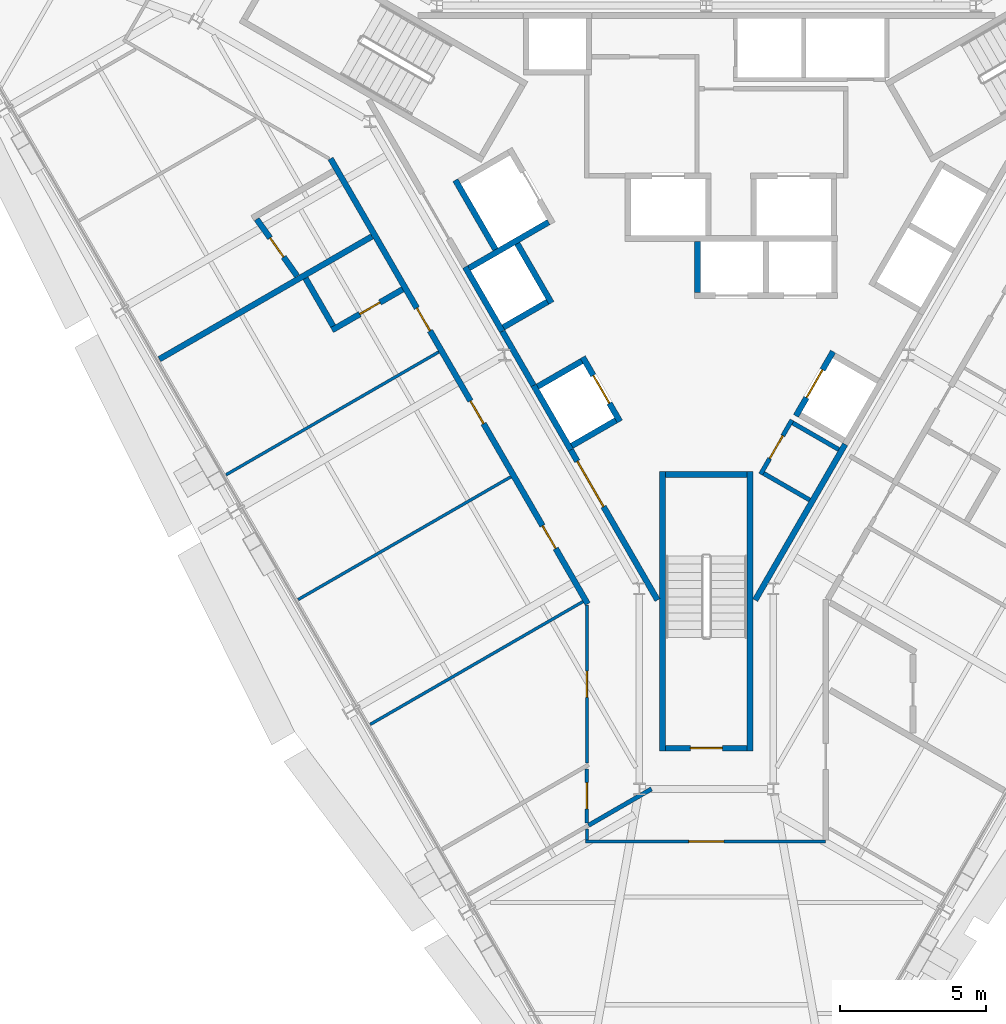
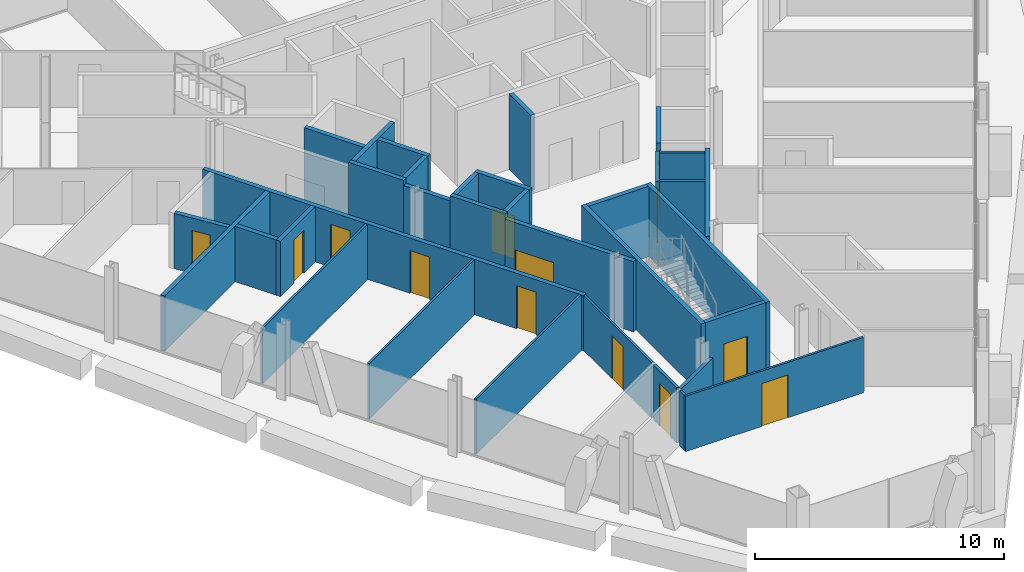
# One storey, part 9 of 14: 34 walls, 13 doors, 13 openings.
"""IFC4 building model written with IfcOpenShell, lengths in metres."""

import ifcopenshell
import ifcopenshell.guid

model = None  # the IFC model being written
_history = None  # IfcOwnerHistory: only IFC2X3 demands one
_inside = {}  # id of a spatial element -> (the spatial element, [elements in it])
_under = {}  # id of a project, library or spatial element -> (it, [spatial elements below it])
_declared = {}  # id of a project -> (the project, [libraries it declares])
_typed = {}  # id of a type object -> (the type object, [elements of that type])
_made_of = {}  # id of a material, layer set ... -> (it, [elements and type objects made of it])


def new_model(schema):
    """Start an empty IFC model of exactly this schema.

    Asked for "IFC4X3", IfcOpenShell would pick the latest addendum, in which some entities
    have other attributes; the version numbers below select the first issue.
    IFC2X3 requires an IfcOwnerHistory on every rooted entity: one is made here for all.
    """
    global model, _history
    if schema == "IFC4X3":
        model = ifcopenshell.file(schema_version=(4, 3, 0, 0))
    else:
        model = ifcopenshell.file(schema=schema)
    _inside.clear()
    _under.clear()
    _declared.clear()
    _typed.clear()
    _made_of.clear()
    _history = None
    if model.schema == "IFC2X3":
        org = make("IfcOrganization", Name="unknown")
        user = make(
            "IfcPersonAndOrganization",
            ThePerson=make("IfcPerson", FamilyName="unknown"),
            TheOrganization=org,
        )
        app = make(
            "IfcApplication",
            ApplicationDeveloper=org,
            Version="unknown",
            ApplicationFullName="unknown",
            ApplicationIdentifier="unknown",
        )
        _history = make(
            "IfcOwnerHistory",
            OwningUser=user,
            OwningApplication=app,
            ChangeAction="ADDED",
            CreationDate=0,
        )
    return model


def make(cls, **values):
    """One entity of the class cls with the attributes given. An attribute that is None is left unset."""
    return model.create_entity(
        cls, **{name: value for name, value in values.items() if value is not None}
    )


def rooted(cls, **values):
    """An entity with a GlobalId (a new one), such as an element, a storey or a relation."""
    return make(cls, GlobalId=ifcopenshell.guid.new(), OwnerHistory=_history, **values)


def si_unit(unit_type, name, prefix=None):
    """IfcSIUnit, for example si_unit("LENGTHUNIT", "METRE", prefix="MILLI")."""
    return make("IfcSIUnit", UnitType=unit_type, Prefix=prefix, Name=name)


def assignment(units):
    """IfcUnitAssignment: the units of a project."""
    return None if units is None else make("IfcUnitAssignment", Units=units)


def point(xyz):
    """IfcCartesianPoint."""
    return None if xyz is None else make("IfcCartesianPoint", Coordinates=xyz)


def direction(xyz):
    """IfcDirection."""
    return None if xyz is None else make("IfcDirection", DirectionRatios=xyz)


def frame(location, z_axis=None, x_axis=None):
    """IfcAxis2Placement3D, a coordinate frame: its origin and axes. An axis left out is left unset."""
    return make(
        "IfcAxis2Placement3D",
        Location=point(location),
        Axis=direction(z_axis),
        RefDirection=direction(x_axis),
    )


def frame_2d(location, x_axis=None):
    """IfcAxis2Placement2D, a coordinate frame in the plane: its origin and x axis."""
    return make(
        "IfcAxis2Placement2D", Location=point(location), RefDirection=direction(x_axis)
    )


def origin():
    """The frame at (0, 0, 0) with its axes left unset."""
    return frame((0.0, 0.0, 0.0))


def place(relative_to, where):
    """IfcLocalPlacement: puts the frame where relative to a parent placement (None: the world)."""
    return make(
        "IfcLocalPlacement", PlacementRelTo=relative_to, RelativePlacement=where
    )


def context(
    kind, dimensions, precision=None, world=None, true_north=None, identifier=None
):
    """IfcGeometricRepresentationContext, for example the 3D "Model" context."""
    return make(
        "IfcGeometricRepresentationContext",
        ContextIdentifier=identifier,
        ContextType=kind,
        CoordinateSpaceDimension=dimensions,
        Precision=precision,
        WorldCoordinateSystem=world,
        TrueNorth=true_north,
    )


def subcontext(parent, identifier, kind, view, scale=None):
    """IfcGeometricRepresentationSubContext, for example "Body" below "Model"."""
    return make(
        "IfcGeometricRepresentationSubContext",
        ContextIdentifier=identifier,
        ContextType=kind,
        ParentContext=parent,
        TargetScale=scale,
        TargetView=view,
    )


def project(units=None, contexts=None):
    """IfcProject with its units and contexts."""
    return rooted(
        "IfcProject",
        Name="project",
        RepresentationContexts=contexts,
        UnitsInContext=assignment(units),
    )


def spatial(cls, under=None, at=None, **own):
    """A site, building, storey or space (cls), placed at a placement, below another one or the project."""
    s = rooted(cls, ObjectPlacement=at, **own)
    if under is not None:
        _under.setdefault(under.id(), (under, []))[1].append(s)
    return s


def profile(cls, at=None, kind="AREA", **sizes):
    """A parametric profile (cls). Its sizes go by their IFC names, for example OverallWidth=200.0."""
    return make(cls, ProfileType=kind, Position=at, **sizes)


def rectangle(**sizes):
    """IfcRectangleProfileDef."""
    return profile("IfcRectangleProfileDef", **sizes)


def extrude(swept, where, along, depth):
    """IfcExtrudedAreaSolid: the profile swept, set in the frame where, extruded along a direction by depth."""
    return make(
        "IfcExtrudedAreaSolid",
        SweptArea=swept,
        Position=where,
        ExtrudedDirection=direction(along),
        Depth=depth,
    )


def shape(context_of_items, identifier, shape_type, items):
    """IfcShapeRepresentation: the items that make up one representation, for example the "Body"."""
    return make(
        "IfcShapeRepresentation",
        ContextOfItems=context_of_items,
        RepresentationIdentifier=identifier,
        RepresentationType=shape_type,
        Items=items,
    )


def material(Name=None, Category=None):
    """IfcMaterial."""
    return make("IfcMaterial", Name=Name, Category=Category)


def layer(
    of_material, thickness, ventilated=None, Name=None, Category=None, Priority=None
):
    """IfcMaterialLayer: one layer of a wall or slab, of a material (None: an air gap)."""
    return make(
        "IfcMaterialLayer",
        Material=of_material,
        LayerThickness=thickness,
        IsVentilated=ventilated,
        Name=Name,
        Category=Category,
        Priority=Priority,
    )


def layer_set(layers, Name=None):
    """IfcMaterialLayerSet."""
    return make("IfcMaterialLayerSet", MaterialLayers=layers, LayerSetName=Name)


def made_of(thing, what):
    """Note that an element or type object is made of a material, layer set ...; save() writes the relation."""
    if what is not None:
        _made_of.setdefault(what.id(), (what, []))[1].append(thing)
    return thing


def type_object(cls, material=None, **own):
    """A type object (cls), such as IfcWallType, which elements share."""
    return made_of(rooted(cls, **own), material)


def element(
    cls,
    number,
    at=None,
    inside=None,
    cuts=None,
    type_object=None,
    material=None,
    context=None,
    identifier="Body",
    shape_type=None,
    held_by="IfcProductDefinitionShape",
    body=None,
    shapes=None,
    **own,
):
    """One element of the class cls, such as IfcWall. Its Tag is "e" and its number.

    at: its placement. inside: the storey or other place that contains it. cuts: it is an
    opening in that element (IfcRelVoidsElement). A single representation is given by context,
    identifier, shape_type and body (its items); several are given by shapes. held_by: the class
    of the entity that holds the representations. save() writes the other relations.
    """
    e = rooted(cls, Tag="e%d" % number, ObjectPlacement=at, **own)
    if body is not None:
        shapes = [shape(context, identifier, shape_type, body)]
    if shapes is not None:
        e.Representation = make(held_by, Representations=shapes)
    if inside is not None:
        _inside.setdefault(inside.id(), (inside, []))[1].append(e)
    if cuts is not None:
        rooted(
            "IfcRelVoidsElement", RelatingBuildingElement=cuts, RelatedOpeningElement=e
        )
    if type_object is not None:
        _typed.setdefault(type_object.id(), (type_object, []))[1].append(e)
    return made_of(e, material)


def fill(opening, filler):
    """IfcRelFillsElement: the door or window that sits in an opening."""
    return rooted(
        "IfcRelFillsElement",
        RelatingOpeningElement=opening,
        RelatedBuildingElement=filler,
    )


def aggregate(whole, parts):
    """IfcRelAggregates: a whole, such as a stair, and the parts it consists of."""
    return rooted("IfcRelAggregates", RelatingObject=whole, RelatedObjects=parts)


def save(model, path):
    """Write the relations noted so far, then the file.

    IfcRelAggregates (storeys below a building ...), IfcRelContainedInSpatialStructure (elements
    in a storey), IfcRelDefinesByType, IfcRelAssociatesMaterial and IfcRelDeclares: one each for
    every whole, place, type object, material and project.
    """
    for whole, parts in _under.values():
        aggregate(whole, parts)
    for where, things in _inside.values():
        rooted(
            "IfcRelContainedInSpatialStructure",
            RelatedElements=things,
            RelatingStructure=where,
        )
    for kind, things in _typed.values():
        rooted("IfcRelDefinesByType", RelatedObjects=things, RelatingType=kind)
    for what, things in _made_of.values():
        rooted("IfcRelAssociatesMaterial", RelatedObjects=things, RelatingMaterial=what)
    for by, libraries in _declared.values():
        rooted("IfcRelDeclares", RelatingContext=by, RelatedDefinitions=libraries)
    model.write(path)


model = new_model("IFC4")

# Units and contexts
model_context = context("Model", 3, precision=1e-05, world=origin(), true_north=direction((0.0, 1.0)))
body_context = subcontext(model_context, "Body", "Model", "MODEL_VIEW")
ifc_project = project(units=[si_unit("LENGTHUNIT", "METRE"), si_unit("AREAUNIT", "SQUARE_METRE"), si_unit("VOLUMEUNIT", "CUBIC_METRE"), si_unit("PLANEANGLEUNIT", "RADIAN"), si_unit("MASSUNIT", "GRAM", prefix="KILO")], contexts=[model_context])

# Site, building, storey
site_placement = place(None, origin())
site = spatial("IfcSite", under=ifc_project, at=site_placement, CompositionType="ELEMENT")
building_placement = place(site_placement, origin())
building = spatial("IfcBuilding", under=site, at=building_placement, Name="Verrane Prism Tower", CompositionType="ELEMENT")
storey_placement = place(building_placement, frame((0.0, 0.0, 193.199951171875)))
storey = spatial("IfcBuildingStorey", under=building, at=storey_placement, Name="L48", CompositionType="ELEMENT", Elevation=193.199951171875)

# Wall
ifc_material_1 = material(Name="Gypsum board partition", Category="other")
ifc_layer_1 = layer(ifc_material_1, 0.199951171875)
ifc_layer_set_1 = layer_set([ifc_layer_1], Name="CW-200 core boundary wall 2 h")
wall_type_1 = type_object("IfcWallType", Name="CW-200 core boundary wall 2 h", PredefinedType="PARTITIONING", material=ifc_layer_set_1)
wall_1_placement = place(storey_placement, frame((-7.0048828125, -3.18701171875, 0.0), z_axis=(0.0, 0.0, 1.0), x_axis=(0.499689606989, -0.866204535123, 0.0)))
element("IfcWall", 1, at=wall_1_placement, inside=storey, type_object=wall_type_1, Name="Core boundary wall CW3-003", PredefinedType="PARTITIONING", context=body_context, shape_type="SweptSolid", body=[
    extrude(rectangle(XDim=2.144775390625, YDim=0.199951171875, at=frame_2d((1.072265625, 0.0))), origin(), (0.0, 0.0, 1.0), 3.449951171875),
])

# Wall, opening, door
wall_2_placement = place(storey_placement, frame((-4.655029296875, -7.257080078125, 0.0), z_axis=(0.0, 0.0, 1.0), x_axis=(0.499966124405, -0.866044960985, 0.0)))
wall_2 = element("IfcWall", 2, at=wall_2_placement, inside=storey, type_object=wall_type_1, Name="Core boundary wall CW3-004", PredefinedType="PARTITIONING", context=body_context, shape_type="SweptSolid", body=[
    extrude(rectangle(XDim=5.95556640625, YDim=0.199951171875, at=frame_2d((2.977783203125, 0.0))), origin(), (0.0, 0.0, 1.0), 3.449951171875),
])
opening_1_placement = place(wall_2_placement, frame((0.449951171875, 0.0, 0.0)))
opening_1 = element("IfcOpeningElement", 3, at=opening_1_placement, cuts=wall_2, Name="Opening D47511", PredefinedType="OPENING", context=body_context, shape_type="SweptSolid", body=[
    extrude(rectangle(XDim=1.800048828125, YDim=2.10009765625, at=frame_2d((0.89990234375, 1.050048828125))), frame((0.0, 0.10986328125, 0.0), z_axis=(0.0, -1.0, 0.0), x_axis=(1.0, 0.0, 0.0)), (0.0, 0.0, 1.0), 0.219970703125),
])
ifc_material_2 = material(Name="Timber veneered door leaf", Category="wood")
door_type_1 = type_object("IfcDoorType", Name="DR-1800x2100 FD60 double leaf lift lobby", OperationType="NOTDEFINED", PredefinedType="DOOR", material=ifc_material_2)
door_1_placement = place(opening_1_placement, origin())
door_1 = element("IfcDoor", 4, at=door_1_placement, inside=storey, type_object=door_type_1, Name="Lift lobby door D47511", OperationType="DOUBLE_DOOR_SINGLE_SWING", OverallHeight=2.10009765625, OverallWidth=1.800048828125, PredefinedType="DOOR", context=body_context, shape_type="SweptSolid", body=[
    extrude(rectangle(XDim=1.800048828125, YDim=2.10009765625, at=frame_2d((0.89990234375, 1.050048828125))), frame((0.0, 0.02490234375, 0.0), z_axis=(0.0, -1.0, 0.0), x_axis=(1.0, 0.0, 0.0)), (0.0, 0.0, 1.0), 0.050048828125),
])
fill(opening_1, door_1)

# Wall
wall_3_placement = place(storey_placement, frame((1.677490234375, -12.414794921875, 0.0), z_axis=(0.0, 0.0, 1.0), x_axis=(0.500054337157, 0.865994029939, 0.0)))
element("IfcWall", 5, at=wall_3_placement, inside=storey, type_object=wall_type_1, Name="Core boundary wall CW3-006", PredefinedType="PARTITIONING", context=body_context, shape_type="SweptSolid", body=[
    extrude(rectangle(XDim=6.176513671875, YDim=0.199951171875, at=frame_2d((3.08837890625, 0.0))), origin(), (0.0, 0.0, 1.0), 3.449951171875),
])

# Wall, opening, door
ifc_material_3 = material(Name="Concrete C40/50", Category="concrete")
ifc_layer_2 = layer(ifc_material_3, 0.199951171875)
ifc_layer_set_2 = layer_set([ifc_layer_2], Name="CW-200 stair core wall concrete C40/50 3 h")
wall_type_2 = type_object("IfcWallType", Name="CW-200 stair core wall concrete C40/50 3 h", PredefinedType="PARTITIONING", material=ifc_layer_set_2)
wall_4_placement = place(storey_placement, frame((-1.39990234375, -17.5, 0.0), z_axis=(0.0, 0.0, 1.0), x_axis=(1.0, 0.0, 0.0)))
wall_4 = element("IfcWall", 6, at=wall_4_placement, inside=storey, type_object=wall_type_2, Name="Stair 3 enclosure wall", PredefinedType="PARTITIONING", context=body_context, shape_type="SweptSolid", body=[
    extrude(rectangle(XDim=2.7998046875, YDim=0.199951171875, at=frame_2d((1.39990234375, 0.0))), origin(), (0.0, 0.0, 1.0), 3.449951171875),
])
opening_2_placement = place(wall_4_placement, frame((0.85009765625, 0.0, 0.0)))
opening_2 = element("IfcOpeningElement", 7, at=opening_2_placement, cuts=wall_4, Name="Opening D47502", PredefinedType="OPENING", context=body_context, shape_type="SweptSolid", body=[
    extrude(rectangle(XDim=1.10009765625, YDim=2.10009765625, at=frame_2d((0.550048828125, 1.050048828125))), frame((0.0, 0.10986328125, 0.0), z_axis=(0.0, -1.0, 0.0), x_axis=(1.0, 0.0, 0.0)), (0.0, 0.0, 1.0), 0.219970703125),
])
ifc_material_4 = material(Name="Timber veneered door leaf", Category="wood")
door_type_2 = type_object("IfcDoorType", Name="DR-1100x2100 FD90 single leaf stair", OperationType="NOTDEFINED", PredefinedType="DOOR", material=ifc_material_4)
door_2_placement = place(opening_2_placement, origin())
door_2 = element("IfcDoor", 8, at=door_2_placement, inside=storey, type_object=door_type_2, Name="Stair 3 door", OperationType="SINGLE_SWING_LEFT", OverallHeight=2.10009765625, OverallWidth=1.10009765625, PredefinedType="DOOR", context=body_context, shape_type="SweptSolid", body=[
    extrude(rectangle(XDim=1.10009765625, YDim=2.10009765625, at=frame_2d((0.550048828125, 1.050048828125))), frame((0.0, 0.02490234375, 0.0), z_axis=(0.0, -1.0, 0.0), x_axis=(1.0, 0.0, 0.0)), (0.0, 0.0, 1.0), 0.050048828125),
])
fill(opening_2, door_2)

# Walls
for number, where, z_axis, x_axis, name in (
    (9, (1.5, -8.0, 0.0), (0.0, 0.0, 1.0), (0.0, -1.0, 0.0), "Stair 3 enclosure wall"),
    (10, (-1.5, -8.0, 0.0), (0.0, 0.0, 1.0), (0.0, -1.0, 0.0), "Stair 3 enclosure wall"),
):
    element("IfcWall", number, at=place(storey_placement, frame(where, z_axis=z_axis, x_axis=x_axis)), inside=storey, type_object=wall_type_2, Name=name, PredefinedType="PARTITIONING", context=body_context, shape_type="SweptSolid", body=[
        extrude(rectangle(XDim=9.60009765625, YDim=0.199951171875, at=frame_2d((4.800048828125, 0.0))), origin(), (0.0, 0.0, 1.0), 3.449951171875),
    ])
wall_5_placement = place(storey_placement, frame((-1.39990234375, -8.10009765625, 0.0), z_axis=(0.0, 0.0, 1.0), x_axis=(1.0, 0.0, 0.0)))
element("IfcWall", 11, at=wall_5_placement, inside=storey, type_object=wall_type_2, Name="Stair 3 enclosure wall", PredefinedType="PARTITIONING", context=body_context, shape_type="SweptSolid", body=[
    extrude(rectangle(XDim=2.7998046875, YDim=0.199951171875, at=frame_2d((1.39990234375, 0.0))), origin(), (0.0, 0.0, 1.0), 3.449951171875),
])
ifc_material_5 = material(Name="Gypsum board shaft wall assembly", Category="other")
ifc_layer_3 = layer(ifc_material_5, 0.199951171875)
ifc_layer_set_3 = layer_set([ifc_layer_3], Name="HW-200 lift shaft wall 2 h")
wall_type_3 = type_object("IfcWallType", Name="HW-200 lift shaft wall 2 h", PredefinedType="PARTITIONING", material=ifc_layer_set_3)
for number, where, z_axis, x_axis, name in (
    (12, (-4.61962890625, -7.118408203125, 0.0), (0.0, 0.0, 1.0), (0.866036909293, 0.499980071345, 0.0), "Lift shaft wall"),
    (13, (-5.794677734375, -5.083251953125, 0.0), (0.0, 0.0, 1.0), (0.866036909293, 0.499980071345, 0.0), "Lift shaft wall"),
    (14, (-6.9697265625, -3.048095703125, 0.0), (0.0, 0.0, 1.0), (0.866036909293, 0.499980071345, 0.0), "Lift shaft wall"),
):
    element("IfcWall", number, at=place(storey_placement, frame(where, z_axis=z_axis, x_axis=x_axis)), inside=storey, type_object=wall_type_3, Name=name, PredefinedType="PARTITIONING", context=body_context, shape_type="SweptSolid", body=[
        extrude(rectangle(XDim=1.75, YDim=0.199951171875, at=frame_2d((0.875, 0.0))), origin(), (0.0, 0.0, 1.0), 3.699951171875),
    ])
wall_6_placement = place(storey_placement, frame((-8.14453125, -1.012939453125, 0.0), z_axis=(0.0, 0.0, 1.0), x_axis=(0.866016494683, 0.500015430699, 0.0)))
element("IfcWall", 15, at=wall_6_placement, inside=storey, type_object=wall_type_3, Name="Lift shaft wall", PredefinedType="PARTITIONING", context=body_context, shape_type="SweptSolid", body=[
    extrude(rectangle(XDim=3.14990234375, YDim=0.199951171875, at=frame_2d((1.574951171875, 0.0))), origin(), (0.0, 0.0, 1.0), 3.699951171875),
])

# Wall, opening, door
wall_7_placement = place(storey_placement, frame((3.077392578125, -6.089599609375, 0.0), z_axis=(0.0, 0.0, 1.0), x_axis=(0.500062241894, 0.865989465428, 0.0)))
wall_7 = element("IfcWall", 16, at=wall_7_placement, inside=storey, type_object=wall_type_3, Name="Lift shaft wall", PredefinedType="PARTITIONING", context=body_context, shape_type="SweptSolid", body=[
    extrude(rectangle(XDim=2.550048828125, YDim=0.199951171875, at=frame_2d((1.27490234375, 0.0))), origin(), (0.0, 0.0, 1.0), 3.699951171875),
])
opening_3_placement = place(wall_7_placement, frame((0.72509765625, 0.0, 0.0)))
opening_3 = element("IfcOpeningElement", 17, at=opening_3_placement, cuts=wall_7, Name="Opening D47505", PredefinedType="OPENING", context=body_context, shape_type="SweptSolid", body=[
    extrude(rectangle(XDim=1.10009765625, YDim=2.10009765625, at=frame_2d((0.550048828125, 1.050048828125))), frame((0.0, 0.10986328125, 0.0), z_axis=(0.0, -1.0, 0.0), x_axis=(1.0, 0.0, 0.0)), (0.0, 0.0, 1.0), 0.219970703125),
])
ifc_material_6 = material(Name="Stainless steel sliding landing door", Category="steel")
door_type_3 = type_object("IfcDoorType", Name="LD-1100x2100 lift landing door FD90 sliding", OperationType="NOTDEFINED", PredefinedType="DOOR", material=ifc_material_6)
door_3_placement = place(opening_3_placement, origin())
door_3 = element("IfcDoor", 18, at=door_3_placement, inside=storey, type_object=door_type_3, Name="Bank B lift 3 landing door", OperationType="SLIDING_TO_LEFT", OverallHeight=2.10009765625, OverallWidth=1.10009765625, PredefinedType="DOOR", context=body_context, shape_type="SweptSolid", body=[
    extrude(rectangle(XDim=1.10009765625, YDim=2.10009765625, at=frame_2d((0.550048828125, 1.050048828125))), frame((0.0, 0.02490234375, 0.0), z_axis=(0.0, -1.0, 0.0), x_axis=(1.0, 0.0, 0.0)), (0.0, 0.0, 1.0), 0.050048828125),
])
fill(opening_3, door_3)

# Wall
wall_8_placement = place(storey_placement, frame((-0.304931640625, -1.85009765625, 0.0), z_axis=(0.0, 0.0, 1.0), x_axis=(0.0, 1.0, 0.0)))
element("IfcWall", 19, at=wall_8_placement, inside=storey, type_object=wall_type_3, Name="Lift shaft wall", PredefinedType="PARTITIONING", context=body_context, shape_type="SweptSolid", body=[
    extrude(rectangle(XDim=1.75, YDim=0.199951171875, at=frame_2d((0.875, 0.0))), origin(), (0.0, 0.0, 1.0), 3.699951171875),
])

# Wall, opening, door
wall_9_placement = place(storey_placement, frame((-2.967529296875, -6.280029296875, 0.0), z_axis=(0.0, 0.0, 1.0), x_axis=(-0.499990435942, 0.866030925526, 0.0)))
wall_9 = element("IfcWall", 20, at=wall_9_placement, inside=storey, type_object=wall_type_3, Name="Lift shaft wall", PredefinedType="PARTITIONING", context=body_context, shape_type="SweptSolid", body=[
    extrude(rectangle(XDim=2.5498046875, YDim=0.199951171875, at=frame_2d((1.27490234375, 0.0))), origin(), (0.0, 0.0, 1.0), 3.699951171875),
])
opening_4_placement = place(wall_9_placement, frame((0.72509765625, 0.0, 0.0)))
opening_4 = element("IfcOpeningElement", 21, at=opening_4_placement, cuts=wall_9, Name="Opening D47506", PredefinedType="OPENING", context=body_context, shape_type="SweptSolid", body=[
    extrude(rectangle(XDim=1.10009765625, YDim=2.10009765625, at=frame_2d((0.550048828125, 1.050048828125))), frame((0.0, 0.10986328125, 0.0), z_axis=(0.0, -1.0, 0.0), x_axis=(1.0, 0.0, 0.0)), (0.0, 0.0, 1.0), 0.219970703125),
])
door_4_placement = place(opening_4_placement, origin())
door_4 = element("IfcDoor", 22, at=door_4_placement, inside=storey, type_object=door_type_3, Name="Bank B lift 4 landing door", OperationType="SLIDING_TO_RIGHT", OverallHeight=2.10009765625, OverallWidth=1.10009765625, PredefinedType="DOOR", context=body_context, shape_type="SweptSolid", body=[
    extrude(rectangle(XDim=1.10009765625, YDim=2.10009765625, at=frame_2d((0.550048828125, 1.050048828125))), frame((0.0, 0.02490234375, 0.0), z_axis=(0.0, -1.0, 0.0), x_axis=(1.0, 0.0, 0.0)), (0.0, 0.0, 1.0), 0.050048828125),
])
fill(opening_4, door_4)

# Walls
wall_10_placement = place(storey_placement, frame((-5.317626953125, -2.209716796875, 0.0), z_axis=(0.0, 0.0, 1.0), x_axis=(-0.499938297808, 0.866061024631, 0.0)))
element("IfcWall", 23, at=wall_10_placement, inside=storey, type_object=wall_type_3, Name="Lift shaft wall", PredefinedType="PARTITIONING", context=body_context, shape_type="SweptSolid", body=[
    extrude(rectangle(XDim=2.349853515625, YDim=0.199951171875, at=frame_2d((1.1748046875, 0.0))), origin(), (0.0, 0.0, 1.0), 3.699951171875),
])
wall_11_placement = place(storey_placement, frame((-7.241943359375, -0.37646484375, 0.0), z_axis=(0.0, 0.0, 1.0), x_axis=(-0.499996545922, 0.866027397988, 0.0)))
element("IfcWall", 24, at=wall_11_placement, inside=storey, type_object=wall_type_3, Name="Lift shaft wall", PredefinedType="PARTITIONING", context=body_context, shape_type="SweptSolid", body=[
    extrude(rectangle(XDim=2.75, YDim=0.199951171875, at=frame_2d((1.375, 0.0))), origin(), (0.0, 0.0, 1.0), 3.699951171875),
])
for number, where, z_axis, x_axis, name in (
    (25, (-4.65625, -7.255126953125, 0.0), (0.0, 0.0, 1.0), (-0.499990435942, 0.866030925526, 0.0), "Lift shaft wall"),
    (26, (-7.00634765625, -3.184814453125, 0.0), (0.0, 0.0, 1.0), (-0.499990435942, 0.866030925526, 0.0), "Lift shaft wall"),
):
    element("IfcWall", number, at=place(storey_placement, frame(where, z_axis=z_axis, x_axis=x_axis)), inside=storey, type_object=wall_type_3, Name=name, PredefinedType="PARTITIONING", context=body_context, shape_type="SweptSolid", body=[
        extrude(rectangle(XDim=2.5498046875, YDim=0.199951171875, at=frame_2d((1.27490234375, 0.0))), origin(), (0.0, 0.0, 1.0), 3.699951171875),
    ])
ifc_material_7 = material(Name="Gypsum board partition", Category="other")
ifc_layer_4 = layer(ifc_material_7, 0.10009765625)
ifc_layer_set_4 = layer_set([ifc_layer_4], Name="PW-100 room partition")
wall_type_4 = type_object("IfcWallType", Name="PW-100 room partition", PredefinedType="PARTITIONING", material=ifc_layer_set_4)
wall_12_placement = place(storey_placement, frame((-16.4892578125, -8.1103515625, 0.0), z_axis=(0.0, 0.0, 1.0), x_axis=(0.865995531057, 0.500051737513, 0.0)))
element("IfcWall", 27, at=wall_12_placement, inside=storey, type_object=wall_type_4, Name="Room partition 006", PredefinedType="PARTITIONING", context=body_context, shape_type="SweptSolid", body=[
    extrude(rectangle(XDim=8.4287109375, YDim=0.10009765625, at=frame_2d((4.21435546875, 0.0))), origin(), (0.0, 0.0, 1.0), 2.713134765625),
])
wall_13_placement = place(storey_placement, frame((-14.014892578125, -12.39599609375, 0.0), z_axis=(0.0, 0.0, 1.0), x_axis=(0.866079962101, 0.499905490315, 0.0)))
element("IfcWall", 28, at=wall_13_placement, inside=storey, type_object=wall_type_4, Name="Room partition 011", PredefinedType="PARTITIONING", context=body_context, shape_type="SweptSolid", body=[
    extrude(rectangle(XDim=8.428955078125, YDim=0.10009765625, at=frame_2d((4.21435546875, 0.0))), origin(), (0.0, 0.0, 1.0), 2.713134765625),
])
wall_14_placement = place(storey_placement, frame((-11.540283203125, -16.68212890625, 0.0), z_axis=(0.0, 0.0, 1.0), x_axis=(0.866063141794, 0.499934630153, 0.0)))
element("IfcWall", 29, at=wall_14_placement, inside=storey, type_object=wall_type_4, Name="Room partition 015", PredefinedType="PARTITIONING", context=body_context, shape_type="SweptSolid", body=[
    extrude(rectangle(XDim=8.433349609375, YDim=0.10009765625, at=frame_2d((4.216796875, 0.0))), origin(), (0.0, 0.0, 1.0), 2.713134765625),
])
wall_15_placement = place(storey_placement, frame((-4.10009765625, -20.64990234375, 0.0), z_axis=(0.0, 0.0, 1.0), x_axis=(0.0, 1.0, 0.0)))
element("IfcWall", 30, at=wall_15_placement, inside=storey, type_object=wall_type_4, Name="Room partition 021", PredefinedType="PARTITIONING", context=body_context, shape_type="SweptSolid", body=[
    extrude(rectangle(XDim=0.369873046875, YDim=0.10009765625, at=frame_2d((0.18505859375, 0.0))), origin(), (0.0, 0.0, 1.0), 2.713134765625),
])

# Wall, opening, door
wall_16_placement = place(storey_placement, frame((4.10009765625, -20.699951171875, 0.0), z_axis=(0.0, 0.0, 1.0), x_axis=(-1.0, 0.0, 0.0)))
wall_16 = element("IfcWall", 31, at=wall_16_placement, inside=storey, type_object=wall_type_4, Name="Room partition 022", PredefinedType="PARTITIONING", context=body_context, shape_type="SweptSolid", body=[
    extrude(rectangle(XDim=8.25, YDim=0.10009765625, at=frame_2d((4.125, 0.0))), origin(), (0.0, 0.0, 1.0), 2.713134765625),
])
opening_5_placement = place(wall_16_placement, frame((3.5, 0.0, 0.0)))
opening_5 = element("IfcOpeningElement", 32, at=opening_5_placement, cuts=wall_16, Name="Opening D47027", PredefinedType="OPENING", context=body_context, shape_type="SweptSolid", body=[
    extrude(rectangle(XDim=1.199951171875, YDim=2.10009765625, at=frame_2d((0.60009765625, 1.050048828125))), frame((0.0, 0.06005859375, 0.0), z_axis=(0.0, -1.0, 0.0), x_axis=(1.0, 0.0, 0.0)), (0.0, 0.0, 1.0), 0.1201171875),
])
ifc_material_8 = material(Name="Timber veneered door leaf", Category="wood")
door_type_4 = type_object("IfcDoorType", Name="DR-1200x2100 single leaf unit", OperationType="NOTDEFINED", PredefinedType="DOOR", material=ifc_material_8)
door_5_placement = place(opening_5_placement, origin())
door_5 = element("IfcDoor", 33, at=door_5_placement, inside=storey, type_object=door_type_4, Name="Living And Dining Room door", OperationType="SINGLE_SWING_RIGHT", OverallHeight=2.10009765625, OverallWidth=1.199951171875, PredefinedType="DOOR", context=body_context, shape_type="SweptSolid", body=[
    extrude(rectangle(XDim=1.199951171875, YDim=2.10009765625, at=frame_2d((0.60009765625, 1.050048828125))), frame((0.0, 0.02490234375, 0.0), z_axis=(0.0, -1.0, 0.0), x_axis=(1.0, 0.0, 0.0)), (0.0, 0.0, 1.0), 0.050048828125),
])
fill(opening_5, door_5)

wall_17_placement = place(storey_placement, frame((-4.10009765625, -18.01611328125, 0.0), z_axis=(0.0, 0.0, 1.0), x_axis=(0.0, 1.0, 0.0)))
wall_17 = element("IfcWall", 34, at=wall_17_placement, inside=storey, type_object=wall_type_4, Name="Room partition 025", PredefinedType="PARTITIONING", context=body_context, shape_type="SweptSolid", body=[
    extrude(rectangle(XDim=5.42919921875, YDim=0.10009765625, at=frame_2d((2.714599609375, 0.0))), origin(), (0.0, 0.0, 1.0), 2.713134765625),
])
opening_6_placement = place(wall_17_placement, frame((2.264892578125, 0.0, 0.0)))
opening_6 = element("IfcOpeningElement", 35, at=opening_6_placement, cuts=wall_17, Name="Opening D47026", PredefinedType="OPENING", context=body_context, shape_type="SweptSolid", body=[
    extrude(rectangle(XDim=0.89990234375, YDim=2.10009765625, at=frame_2d((0.449951171875, 1.050048828125))), frame((0.0, 0.06005859375, 0.0), z_axis=(0.0, -1.0, 0.0), x_axis=(1.0, 0.0, 0.0)), (0.0, 0.0, 1.0), 0.1201171875),
])
ifc_material_9 = material(Name="Timber veneered door leaf", Category="wood")
door_type_5 = type_object("IfcDoorType", Name="DR-900x2100 single leaf unit", OperationType="NOTDEFINED", PredefinedType="DOOR", material=ifc_material_9)
door_6_placement = place(opening_6_placement, origin())
door_6 = element("IfcDoor", 36, at=door_6_placement, inside=storey, type_object=door_type_5, Name="Study door", OperationType="SINGLE_SWING_RIGHT", OverallHeight=2.10009765625, OverallWidth=0.89990234375, PredefinedType="DOOR", context=body_context, shape_type="SweptSolid", body=[
    extrude(rectangle(XDim=0.89990234375, YDim=2.10009765625, at=frame_2d((0.449951171875, 1.050048828125))), frame((0.0, 0.02490234375, 0.0), z_axis=(0.0, -1.0, 0.0), x_axis=(1.0, 0.0, 0.0)), (0.0, 0.0, 1.0), 0.050048828125),
])
fill(opening_6, door_6)

ifc_material_10 = material(Name="Gypsum board partition", Category="other")
ifc_layer_5 = layer(ifc_material_10, 0.125)
ifc_layer_set_5 = layer_set([ifc_layer_5], Name="PW-125 corridor wall 1 h")
wall_type_5 = type_object("IfcWallType", Name="PW-125 corridor wall 1 h", PredefinedType="PARTITIONING", material=ifc_layer_set_5)
wall_18_placement = place(storey_placement, frame((-4.10009765625, -18.2060546875, 0.0), z_axis=(0.0, 0.0, 1.0), x_axis=(0.0, -1.0, 0.0)))
wall_18 = element("IfcWall", 37, at=wall_18_placement, inside=storey, type_object=wall_type_5, Name="Corridor wall 023", PredefinedType="PARTITIONING", context=body_context, shape_type="SweptSolid", body=[
    extrude(rectangle(XDim=1.85400390625, YDim=0.125, at=frame_2d((0.927001953125, 0.0))), origin(), (0.0, 0.0, 1.0), 2.713134765625),
])
opening_7_placement = place(wall_18_placement, frame((0.47412109375, 0.0, 0.0)))
opening_7 = element("IfcOpeningElement", 38, at=opening_7_placement, cuts=wall_18, Name="Opening D47029", PredefinedType="OPENING", context=body_context, shape_type="SweptSolid", body=[
    extrude(rectangle(XDim=0.89990234375, YDim=2.10009765625, at=frame_2d((0.449951171875, 1.050048828125))), frame((0.0, 0.072509765625, 0.0), z_axis=(0.0, -1.0, 0.0), x_axis=(1.0, 0.0, 0.0)), (0.0, 0.0, 1.0), 0.14501953125),
])
ifc_material_11 = material(Name="Timber veneered door leaf", Category="wood")
door_type_6 = type_object("IfcDoorType", Name="DR-900x2100 FD20 single leaf unit", OperationType="NOTDEFINED", PredefinedType="DOOR", material=ifc_material_11)
door_7_placement = place(opening_7_placement, origin())
door_7 = element("IfcDoor", 39, at=door_7_placement, inside=storey, type_object=door_type_6, Name="Entrance Hall door", OperationType="SINGLE_SWING_RIGHT", OverallHeight=2.10009765625, OverallWidth=0.89990234375, PredefinedType="DOOR", context=body_context, shape_type="SweptSolid", body=[
    extrude(rectangle(XDim=0.89990234375, YDim=2.10009765625, at=frame_2d((0.449951171875, 1.050048828125))), frame((0.0, 0.02490234375, 0.0), z_axis=(0.0, -1.0, 0.0), x_axis=(1.0, 0.0, 0.0)), (0.0, 0.0, 1.0), 0.050048828125),
])
fill(opening_7, door_7)

# Walls
ifc_material_12 = material(Name="Gypsum board partition", Category="other")
ifc_layer_6 = layer(ifc_material_12, 0.14990234375)
ifc_layer_set_6 = layer_set([ifc_layer_6], Name="PW-150 demising wall 1 h")
wall_type_6 = type_object("IfcWallType", Name="PW-150 demising wall 1 h", PredefinedType="PARTITIONING", material=ifc_layer_set_6)
wall_19_placement = place(storey_placement, frame((-4.0458984375, -20.148681640625, 0.0), z_axis=(0.0, 0.0, 1.0), x_axis=(0.865916841101, 0.500187988959, 0.0)))
element("IfcWall", 40, at=wall_19_placement, inside=storey, type_object=wall_type_6, Name="Demising wall 024", PredefinedType="PARTITIONING", context=body_context, shape_type="SweptSolid", body=[
    extrude(rectangle(XDim=2.49658203125, YDim=0.14990234375, at=frame_2d((1.248291015625, 0.0))), origin(), (0.0, 0.0, 1.0), 2.713134765625),
])
ifc_material_13 = material(Name="Gypsum board partition", Category="other")
ifc_layer_7 = layer(ifc_material_13, 0.199951171875)
ifc_layer_set_7 = layer_set([ifc_layer_7], Name="PW-200 plumbing wall")
wall_type_7 = type_object("IfcWallType", Name="PW-200 plumbing wall", PredefinedType="PARTITIONING", material=ifc_layer_set_7)
wall_20_placement = place(storey_placement, frame((-18.7802734375, -4.141845703125, 0.0), z_axis=(0.0, 0.0, 1.0), x_axis=(0.866020616849, 0.500008291124, 0.0)))
element("IfcWall", 41, at=wall_20_placement, inside=storey, type_object=wall_type_7, Name="Plumbing wall 005", PredefinedType="PARTITIONING", context=body_context, shape_type="SweptSolid", body=[
    extrude(rectangle(XDim=8.428466796875, YDim=0.199951171875, at=frame_2d((4.21435546875, 0.0))), origin(), (0.0, 0.0, 1.0), 2.713134765625),
])

# Wall, opening, door
wall_21_placement = place(storey_placement, frame((-15.438232421875, 0.663330078125, 0.0), z_axis=(0.0, 0.0, 1.0), x_axis=(0.579721135961, -0.81481495109, 0.0)))
wall_21 = element("IfcWall", 42, at=wall_21_placement, inside=storey, type_object=wall_type_7, Name="Plumbing wall 008", PredefinedType="PARTITIONING", context=body_context, shape_type="SweptSolid", body=[
    extrude(rectangle(XDim=2.3916015625, YDim=0.199951171875, at=frame_2d((1.19580078125, 0.0))), origin(), (0.0, 0.0, 1.0), 2.713134765625),
])
opening_8_placement = place(wall_21_placement, frame((0.7900390625, 0.0, 0.0)))
opening_8 = element("IfcOpeningElement", 43, at=opening_8_placement, cuts=wall_21, Name="Opening D47021", PredefinedType="OPENING", context=body_context, shape_type="SweptSolid", body=[
    extrude(rectangle(XDim=0.800048828125, YDim=2.10009765625, at=frame_2d((0.39990234375, 1.050048828125))), frame((0.0, 0.10986328125, 0.0), z_axis=(0.0, -1.0, 0.0), x_axis=(1.0, 0.0, 0.0)), (0.0, 0.0, 1.0), 0.219970703125),
])
ifc_material_14 = material(Name="Timber veneered door leaf", Category="wood")
door_type_7 = type_object("IfcDoorType", Name="DR-800x2100 single leaf bath", OperationType="NOTDEFINED", PredefinedType="DOOR", material=ifc_material_14)
door_8_placement = place(opening_8_placement, origin())
door_8 = element("IfcDoor", 44, at=door_8_placement, inside=storey, type_object=door_type_7, Name="Master Bathroom door", OperationType="SINGLE_SWING_LEFT", OverallHeight=2.10009765625, OverallWidth=0.800048828125, PredefinedType="DOOR", context=body_context, shape_type="SweptSolid", body=[
    extrude(rectangle(XDim=0.800048828125, YDim=2.10009765625, at=frame_2d((0.39990234375, 1.050048828125))), frame((0.0, 0.02490234375, 0.0), z_axis=(0.0, -1.0, 0.0), x_axis=(1.0, 0.0, 0.0)), (0.0, 0.0, 1.0), 0.050048828125),
])
fill(opening_8, door_8)

# Wall
wall_22_placement = place(storey_placement, frame((-13.764892578125, -1.361572265625, 0.0), z_axis=(0.0, 0.0, 1.0), x_axis=(0.499911523785, -0.866076479525, 0.0)))
element("IfcWall", 45, at=wall_22_placement, inside=storey, type_object=wall_type_7, Name="Plumbing wall 012", PredefinedType="PARTITIONING", context=body_context, shape_type="SweptSolid", body=[
    extrude(rectangle(XDim=1.900146484375, YDim=0.199951171875, at=frame_2d((0.9501953125, 0.0))), origin(), (0.0, 0.0, 1.0), 2.713134765625),
])

# Wall, openings, doors
wall_23_placement = place(storey_placement, frame((-4.074951171875, -12.54541015625, 0.0), z_axis=(0.0, 0.0, 1.0), x_axis=(-0.499999743747, 0.866025551732, 0.0)))
wall_23 = element("IfcWall", 46, at=wall_23_placement, inside=storey, type_object=wall_type_7, Name="Plumbing wall 013", PredefinedType="PARTITIONING", context=body_context, shape_type="SweptSolid", body=[
    extrude(rectangle(XDim=17.65625, YDim=0.199951171875, at=frame_2d((8.828125, 0.0))), origin(), (0.0, 0.0, 1.0), 2.713134765625),
])
opening_9_placement = place(wall_23_placement, frame((10.830078125, 0.0, 0.0)))
opening_9 = element("IfcOpeningElement", 47, at=opening_9_placement, cuts=wall_23, Name="Opening D47022", PredefinedType="OPENING", context=body_context, shape_type="SweptSolid", body=[
    extrude(rectangle(XDim=0.89990234375, YDim=2.10009765625, at=frame_2d((0.449951171875, 1.050048828125))), frame((0.0, 0.10986328125, 0.0), z_axis=(0.0, -1.0, 0.0), x_axis=(1.0, 0.0, 0.0)), (0.0, 0.0, 1.0), 0.219970703125),
])
opening_10_placement = place(wall_23_placement, frame((7.14794921875, 0.0, 0.0)))
opening_10 = element("IfcOpeningElement", 48, at=opening_10_placement, cuts=wall_23, Name="Opening D47024", PredefinedType="OPENING", context=body_context, shape_type="SweptSolid", body=[
    extrude(rectangle(XDim=0.89990234375, YDim=2.10009765625, at=frame_2d((0.449951171875, 1.050048828125))), frame((0.0, 0.10986328125, 0.0), z_axis=(0.0, -1.0, 0.0), x_axis=(1.0, 0.0, 0.0)), (0.0, 0.0, 1.0), 0.219970703125),
])
opening_11_placement = place(wall_23_placement, frame((2.197998046875, 0.0, 0.0)))
opening_11 = element("IfcOpeningElement", 49, at=opening_11_placement, cuts=wall_23, Name="Opening D47025", PredefinedType="OPENING", context=body_context, shape_type="SweptSolid", body=[
    extrude(rectangle(XDim=0.89990234375, YDim=2.10009765625, at=frame_2d((0.449951171875, 1.050048828125))), frame((0.0, 0.10986328125, 0.0), z_axis=(0.0, -1.0, 0.0), x_axis=(1.0, 0.0, 0.0)), (0.0, 0.0, 1.0), 0.219970703125),
])
ifc_material_15 = material(Name="Timber veneered door leaf", Category="wood")
door_type_8 = type_object("IfcDoorType", Name="DR-900x2100 single leaf inner", OperationType="NOTDEFINED", PredefinedType="DOOR", material=ifc_material_15)
door_9_placement = place(opening_9_placement, origin())
door_9 = element("IfcDoor", 50, at=door_9_placement, inside=storey, type_object=door_type_8, Name="Bedroom door", OperationType="SINGLE_SWING_LEFT", OverallHeight=2.10009765625, OverallWidth=0.89990234375, PredefinedType="DOOR", context=body_context, shape_type="SweptSolid", body=[
    extrude(rectangle(XDim=0.89990234375, YDim=2.10009765625, at=frame_2d((0.449951171875, 1.050048828125))), frame((0.0, 0.02490234375, 0.0), z_axis=(0.0, -1.0, 0.0), x_axis=(1.0, 0.0, 0.0)), (0.0, 0.0, 1.0), 0.050048828125),
])
fill(opening_9, door_9)
door_10_placement = place(opening_10_placement, origin())
door_10 = element("IfcDoor", 51, at=door_10_placement, inside=storey, type_object=door_type_5, Name="Study door", OperationType="SINGLE_SWING_LEFT", OverallHeight=2.10009765625, OverallWidth=0.89990234375, PredefinedType="DOOR", context=body_context, shape_type="SweptSolid", body=[
    extrude(rectangle(XDim=0.89990234375, YDim=2.10009765625, at=frame_2d((0.449951171875, 1.050048828125))), frame((0.0, 0.02490234375, 0.0), z_axis=(0.0, -1.0, 0.0), x_axis=(1.0, 0.0, 0.0)), (0.0, 0.0, 1.0), 0.050048828125),
])
fill(opening_10, door_10)
door_11_placement = place(opening_11_placement, origin())
door_11 = element("IfcDoor", 52, at=door_11_placement, inside=storey, type_object=door_type_5, Name="Study door", OperationType="SINGLE_SWING_RIGHT", OverallHeight=2.10009765625, OverallWidth=0.89990234375, PredefinedType="DOOR", context=body_context, shape_type="SweptSolid", body=[
    extrude(rectangle(XDim=0.89990234375, YDim=2.10009765625, at=frame_2d((0.449951171875, 1.050048828125))), frame((0.0, 0.02490234375, 0.0), z_axis=(0.0, -1.0, 0.0), x_axis=(1.0, 0.0, 0.0)), (0.0, 0.0, 1.0), 0.050048828125),
])
fill(opening_11, door_11)

# Wall, opening, door
wall_24_placement = place(storey_placement, frame((-12.8515625, -3.14404296875, 0.0), z_axis=(0.0, 0.0, 1.0), x_axis=(0.866018616679, 0.500011755427, 0.0)))
wall_24 = element("IfcWall", 53, at=wall_24_placement, inside=storey, type_object=wall_type_7, Name="Plumbing wall 014", PredefinedType="PARTITIONING", context=body_context, shape_type="SweptSolid", body=[
    extrude(rectangle(XDim=2.80029296875, YDim=0.199951171875, at=frame_2d((1.400146484375, 0.0))), origin(), (0.0, 0.0, 1.0), 2.713134765625),
])
opening_12_placement = place(wall_24_placement, frame((1.10009765625, 0.0, 0.0)))
opening_12 = element("IfcOpeningElement", 54, at=opening_12_placement, cuts=wall_24, Name="Opening D47023", PredefinedType="OPENING", context=body_context, shape_type="SweptSolid", body=[
    extrude(rectangle(XDim=0.800048828125, YDim=2.10009765625, at=frame_2d((0.39990234375, 1.050048828125))), frame((0.0, 0.10986328125, 0.0), z_axis=(0.0, -1.0, 0.0), x_axis=(1.0, 0.0, 0.0)), (0.0, 0.0, 1.0), 0.219970703125),
])
door_12_placement = place(opening_12_placement, origin())
door_12 = element("IfcDoor", 55, at=door_12_placement, inside=storey, type_object=door_type_7, Name="Bathroom door", OperationType="SINGLE_SWING_LEFT", OverallHeight=2.10009765625, OverallWidth=0.800048828125, PredefinedType="DOOR", context=body_context, shape_type="SweptSolid", body=[
    extrude(rectangle(XDim=0.800048828125, YDim=2.10009765625, at=frame_2d((0.39990234375, 1.050048828125))), frame((0.0, 0.02490234375, 0.0), z_axis=(0.0, -1.0, 0.0), x_axis=(1.0, 0.0, 0.0)), (0.0, 0.0, 1.0), 0.050048828125),
])
fill(opening_12, door_12)

ifc_material_16 = material(Name="Gypsum board partition", Category="other")
ifc_layer_8 = layer(ifc_material_16, 0.14990234375)
ifc_layer_set_8 = layer_set([ifc_layer_8], Name="RS-150 riser enclosure wall 1 h")
wall_type_8 = type_object("IfcWallType", Name="RS-150 riser enclosure wall 1 h", PredefinedType="PARTITIONING", material=ifc_layer_set_8)
wall_25_placement = place(storey_placement, frame((2.939453125, -6.22900390625, 0.0), z_axis=(0.0, 0.0, 1.0), x_axis=(-0.499961633463, -0.866047553582, 0.0)))
wall_25 = element("IfcWall", 56, at=wall_25_placement, inside=storey, type_object=wall_type_8, Name="Riser wall RS3-003", PredefinedType="PARTITIONING", context=body_context, shape_type="SweptSolid", body=[
    extrude(rectangle(XDim=2.150146484375, YDim=0.14990234375, at=frame_2d((1.0751953125, 0.0))), origin(), (0.0, 0.0, 1.0), 3.449951171875),
])
opening_13_placement = place(wall_25_placement, frame((0.625, 0.0, 0.0)))
opening_13 = element("IfcOpeningElement", 57, at=opening_13_placement, cuts=wall_25, Name="Opening D47516", PredefinedType="OPENING", context=body_context, shape_type="SweptSolid", body=[
    extrude(rectangle(XDim=0.89990234375, YDim=2.10009765625, at=frame_2d((0.449951171875, 1.050048828125))), frame((0.0, 0.0849609375, 0.0), z_axis=(0.0, -1.0, 0.0), x_axis=(1.0, 0.0, 0.0)), (0.0, 0.0, 1.0), 0.169921875),
])
ifc_material_17 = material(Name="Timber veneered door leaf", Category="wood")
door_type_9 = type_object("IfcDoorType", Name="DR-900x2100 FD20 single leaf store", OperationType="NOTDEFINED", PredefinedType="DOOR", material=ifc_material_17)
door_13_placement = place(opening_13_placement, origin())
door_13 = element("IfcDoor", 58, at=door_13_placement, inside=storey, type_object=door_type_9, Name="Room door D47516", OperationType="SINGLE_SWING_RIGHT", OverallHeight=2.10009765625, OverallWidth=0.89990234375, PredefinedType="DOOR", context=body_context, shape_type="SweptSolid", body=[
    extrude(rectangle(XDim=0.89990234375, YDim=2.10009765625, at=frame_2d((0.449951171875, 1.050048828125))), frame((0.0, 0.02490234375, 0.0), z_axis=(0.0, -1.0, 0.0), x_axis=(1.0, 0.0, 0.0)), (0.0, 0.0, 1.0), 0.050048828125),
])
fill(opening_13, door_13)

# Walls
wall_26_placement = place(storey_placement, frame((1.967041015625, -8.0634765625, 0.0), z_axis=(0.0, 0.0, 1.0), x_axis=(0.865978377894, -0.500081442387, 0.0)))
element("IfcWall", 59, at=wall_26_placement, inside=storey, type_object=wall_type_8, Name="Riser wall RS3-004", PredefinedType="PARTITIONING", context=body_context, shape_type="SweptSolid", body=[
    extrude(rectangle(XDim=1.824951171875, YDim=0.14990234375, at=frame_2d((0.91259765625, 0.0))), origin(), (0.0, 0.0, 1.0), 3.449951171875),
])
wall_27_placement = place(storey_placement, frame((2.967041015625, -6.33154296875, 0.0), z_axis=(0.0, 0.0, 1.0), x_axis=(0.866036312054, -0.499981105847, 0.0)))
element("IfcWall", 60, at=wall_27_placement, inside=storey, type_object=wall_type_8, Name="Riser wall RS3-005", PredefinedType="PARTITIONING", context=body_context, shape_type="SweptSolid", body=[
    extrude(rectangle(XDim=1.82470703125, YDim=0.14990234375, at=frame_2d((0.912353515625, 0.0))), origin(), (0.0, 0.0, 1.0), 3.449951171875),
])

save(model, "model.ifc")
